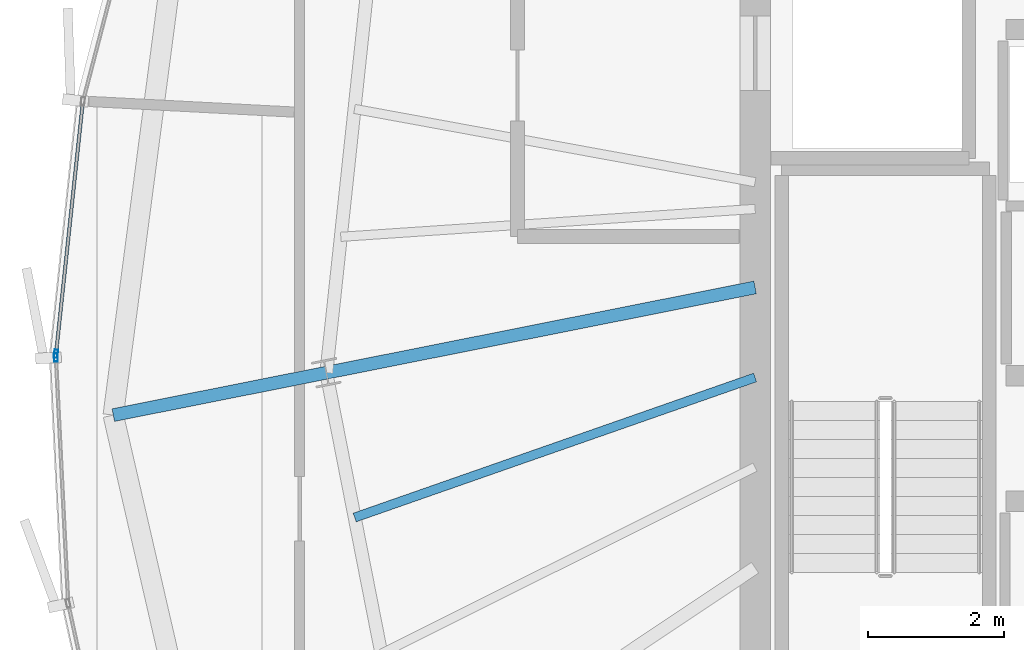
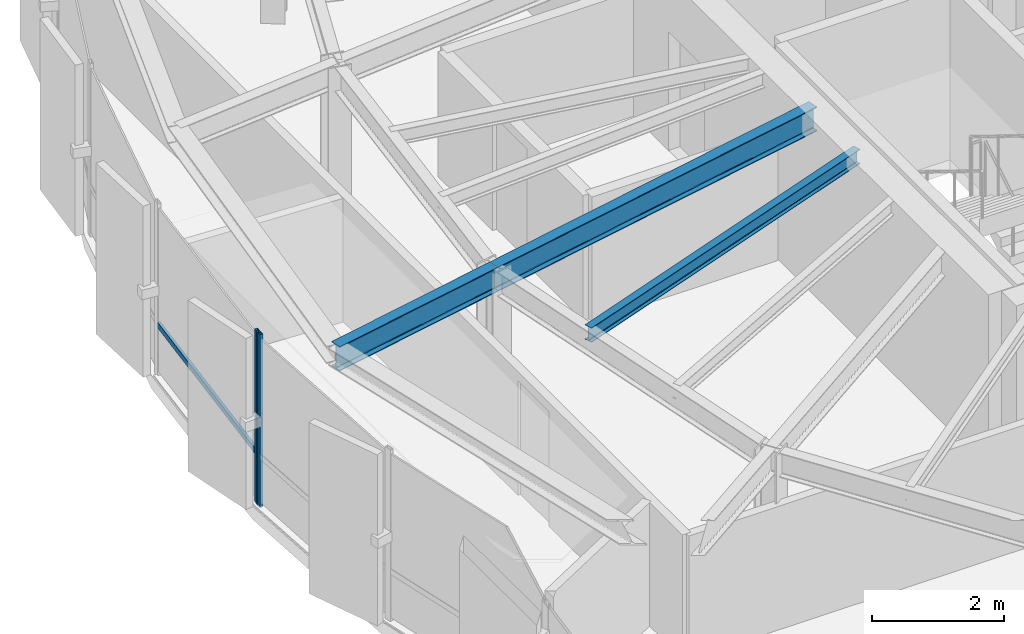
# One storey, part 9 of 31: 3 beams, 3 members, 2 elements without a shape of their own.
"""IFC4 building model written with IfcOpenShell, lengths in metres."""

from ifc_helpers import new_model, si_unit, direction, frame, origin, origin_2d, place, context, subcontext, project, spatial, hollow_rectangle, i_section, extrude, source, transform, mapped, material, layer, layer_set, material_profile, profile_set, type_object, element, aggregate, save


model = new_model("IFC4")

# Units and contexts
model_context = context("Model", 3, precision=1e-05, world=origin(), true_north=direction((0.0, 1.0)))
body_context = subcontext(model_context, "Body", "Model", "MODEL_VIEW")
ifc_project = project(units=[si_unit("LENGTHUNIT", "METRE"), si_unit("AREAUNIT", "SQUARE_METRE"), si_unit("VOLUMEUNIT", "CUBIC_METRE"), si_unit("PLANEANGLEUNIT", "RADIAN"), si_unit("MASSUNIT", "GRAM", prefix="KILO"), si_unit("THERMODYNAMICTEMPERATUREUNIT", "KELVIN")], contexts=[model_context])

# Site, building, storey
site_placement = place(None, origin())
site = spatial("IfcSite", under=ifc_project, at=site_placement, CompositionType="ELEMENT")
building_placement = place(site_placement, origin())
building = spatial("IfcBuilding", under=site, at=building_placement, Name="Kethvar Cultural Tower", CompositionType="ELEMENT")
storey_placement = place(building_placement, frame((0.0, 0.0, 287.050048828125)))
storey = spatial("IfcBuildingStorey", under=building, at=storey_placement, Name="L76", CompositionType="ELEMENT", Elevation=287.050048828125)

# Beams
ifc_material_1 = material(Name="Steel S355J2", Category="steel")
ifc_material_profile_1 = material_profile(ifc_material_1, i_section(OverallWidth=0.18994140625, OverallDepth=0.449951171875, WebThickness=0.009521484375, FlangeThickness=0.0146484375, FilletRadius=0.02099609375, at=origin_2d()), Name="Steel S355J2 — IPE450")
ifc_profile_set_1 = profile_set([ifc_material_profile_1], Name="Steel S355J2 — IPE450")
beam_type_1 = type_object("IfcBeamType", Name="BM-IPE450", PredefinedType="BEAM", material=ifc_profile_set_1)
shared_shape_1 = source(origin(), body_context, "Body", "SweptSolid", [
    extrude(i_section(OverallWidth=0.18994140625, OverallDepth=0.449951171875, WebThickness=0.009521484375, FlangeThickness=0.0146484375, FilletRadius=0.02099609375, at=origin_2d()), origin(), (0.0, 0.0, 1.0), 3.2001953125),
])
beam_1_placement = place(storey_placement, frame((31.68310546875, 24.79296875, 2.98291015625), z_axis=(-0.980788453702, -0.195074368086, 0.0), x_axis=(0.195074368086, -0.980788453702, 0.0)))
element("IfcBeam", 1, at=beam_1_placement, inside=storey, type_object=beam_type_1, Name="L76 Perimeter Cantilever Beam RC-09", PredefinedType="BEAM", context=body_context, shape_type="MappedRepresentation", body=[
    mapped(shared_shape_1, transform((0.0, 0.0, 0.0), scale=1.0)),
])
shared_shape_2 = source(origin(), body_context, "Body", "SweptSolid", [
    extrude(i_section(OverallWidth=0.18994140625, OverallDepth=0.449951171875, WebThickness=0.009521484375, FlangeThickness=0.0146484375, FilletRadius=0.02099609375, at=origin_2d()), origin(), (0.0, 0.0, 1.0), 6.440673828125),
])
beam_2_placement = place(storey_placement, frame((38.0, 26.049560546875, 2.98291015625), z_axis=(-0.980782804096, -0.195102770839, 0.0), x_axis=(0.195102770839, -0.980782804096, 0.0)))
element("IfcBeam", 2, at=beam_2_placement, inside=storey, type_object=beam_type_1, Name="L76 Primary Radial Beam RB-09", PredefinedType="BEAM", context=body_context, shape_type="MappedRepresentation", body=[
    mapped(shared_shape_2, transform((0.0, 0.0, 0.0), scale=1.0)),
])
ifc_material_profile_2 = material_profile(ifc_material_1, i_section(OverallWidth=0.135009765625, OverallDepth=0.27001953125, WebThickness=0.006591796875, FlangeThickness=0.01025390625, FilletRadius=0.014892578125, at=origin_2d()), Name="Steel S355J2 — IPE270")
ifc_profile_set_2 = profile_set([ifc_material_profile_2], Name="Steel S355J2 — IPE270")
beam_type_2 = type_object("IfcBeamType", Name="BM-J270", PredefinedType="JOIST", material=ifc_profile_set_2)
shared_shape_3 = source(origin(), body_context, "Body", "SweptSolid", [
    extrude(i_section(OverallWidth=0.135009765625, OverallDepth=0.27001953125, WebThickness=0.006591796875, FlangeThickness=0.01025390625, FilletRadius=0.014892578125, at=origin_2d()), origin(), (0.0, 0.0, 1.0), 6.248779296875),
])
beam_3_placement = place(storey_placement, frame((38.0, 24.722900390625, 3.072998046875), z_axis=(-0.943960031743, -0.330059780148, 0.0), x_axis=(0.330059780148, -0.943960031743, 0.0)))
element("IfcBeam", 3, at=beam_3_placement, inside=storey, type_object=beam_type_2, Name="L76 Composite Floor Joist J-09A", PredefinedType="JOIST", context=body_context, shape_type="MappedRepresentation", body=[
    mapped(shared_shape_3, transform((0.0, 0.0, 0.0), scale=1.0)),
])

# Curtain wall, member
ifc_material_2 = material(Name="Aluminium 6063-T6", Category="aluminium")
ifc_layer = layer(ifc_material_2, 0.179931640625, Name="Aluminium 6063-T6", Category="aluminium")
ifc_layer_set = layer_set([ifc_layer], Name="Aluminium 6063-T6 (180 mm)")
curtain_wall_type = type_object("IfcCurtainWallType", Name="CW-SYS-05-Z56", PredefinedType="NOTDEFINED", material=ifc_layer_set)
curtain_wall_1_placement = place(storey_placement, origin())
curtain_wall_1 = element("IfcCurtainWall", 4, at=curtain_wall_1_placement, inside=storey, type_object=curtain_wall_type, Name="L76 Curtain Wall Run 02", PredefinedType="NOTDEFINED")
ifc_material_profile_3 = material_profile(ifc_material_2, hollow_rectangle(XDim=0.054931640625, YDim=0.1201171875, WallThickness=0.00390625, at=origin_2d()), Name="Aluminium 6063-T6 — RHS120x55x4")
ifc_profile_set_3 = profile_set([ifc_material_profile_3], Name="Aluminium 6063-T6 — RHS120x55x4")
member_type_1 = type_object("IfcMemberType", Name="CW-SYS-05-Z56-MUL", PredefinedType="MULLION", material=ifc_profile_set_3)
shared_shape_4 = source(origin(), body_context, "Body", "SweptSolid", [
    extrude(hollow_rectangle(XDim=0.054931640625, YDim=0.1201171875, WallThickness=0.00390625, at=origin_2d()), origin(), (0.0, 0.0, 1.0), 3.2099609375),
])
member_1_placement = place(storey_placement, frame((27.701416015625, 25.072998046875, 0.0), z_axis=(0.0, 0.0, 1.0), x_axis=(0.994374976712, -0.105916975449, 0.0)))
member_1 = element("IfcMember", 5, at=member_1_placement, type_object=member_type_1, Name="CW-L76-R02 Mullion 7", PredefinedType="MULLION", context=body_context, shape_type="MappedRepresentation", body=[
    mapped(shared_shape_4, transform((0.0, 0.0, 0.0), scale=1.0)),
])

curtain_wall_2_placement = place(storey_placement, origin())
curtain_wall_2 = element("IfcCurtainWall", 6, at=curtain_wall_2_placement, inside=storey, type_object=curtain_wall_type, Name="L76 Curtain Wall Run 03", PredefinedType="NOTDEFINED")
member_2_placement = place(storey_placement, frame((27.69970703125, 25.01708984375, 0.0), z_axis=(0.0, 0.0, 1.0), x_axis=(0.998757045498, 0.049843395432, 0.0)))
member_2 = element("IfcMember", 7, at=member_2_placement, type_object=member_type_1, Name="CW-L76-R03 Mullion 1", PredefinedType="MULLION", context=body_context, shape_type="MappedRepresentation", body=[
    mapped(shared_shape_4, transform((0.0, 0.0, 0.0), scale=1.0)),
])
aggregate(curtain_wall_2, [member_2])

# Member
ifc_material_profile_4 = material_profile(ifc_material_2, hollow_rectangle(XDim=0.050048828125, YDim=0.10009765625, WallThickness=0.00390625, at=origin_2d()), Name="Aluminium 6063-T6 — RHS100x50x4")
ifc_profile_set_4 = profile_set([ifc_material_profile_4], Name="Aluminium 6063-T6 — RHS100x50x4")
member_type_2 = type_object("IfcMemberType", Name="CW-SYS-05-Z56-TRN", PredefinedType="USERDEFINED", material=ifc_profile_set_4)
shared_shape_5 = source(origin(), body_context, "Body", "SweptSolid", [
    extrude(hollow_rectangle(XDim=0.050048828125, YDim=0.10009765625, WallThickness=0.00390625, at=origin_2d()), origin(), (0.0, 0.0, 1.0), 3.698974609375),
])
member_3_placement = place(storey_placement, frame((28.093505859375, 28.7548828125, 0.949951171875), z_axis=(-0.105931852784, -0.994373391924, 0.0), x_axis=(0.994373391924, -0.105931852784, 0.0)))
member_3 = element("IfcMember", 8, at=member_3_placement, type_object=member_type_2, Name="CW-L76-R02 Transom 6", ObjectType="TRANSOM", PredefinedType="USERDEFINED", context=body_context, shape_type="MappedRepresentation", body=[
    mapped(shared_shape_5, transform((0.0, 0.0, 0.0), scale=1.0)),
])

aggregate(curtain_wall_1, [member_1, member_3])

save(model, "model.ifc")
